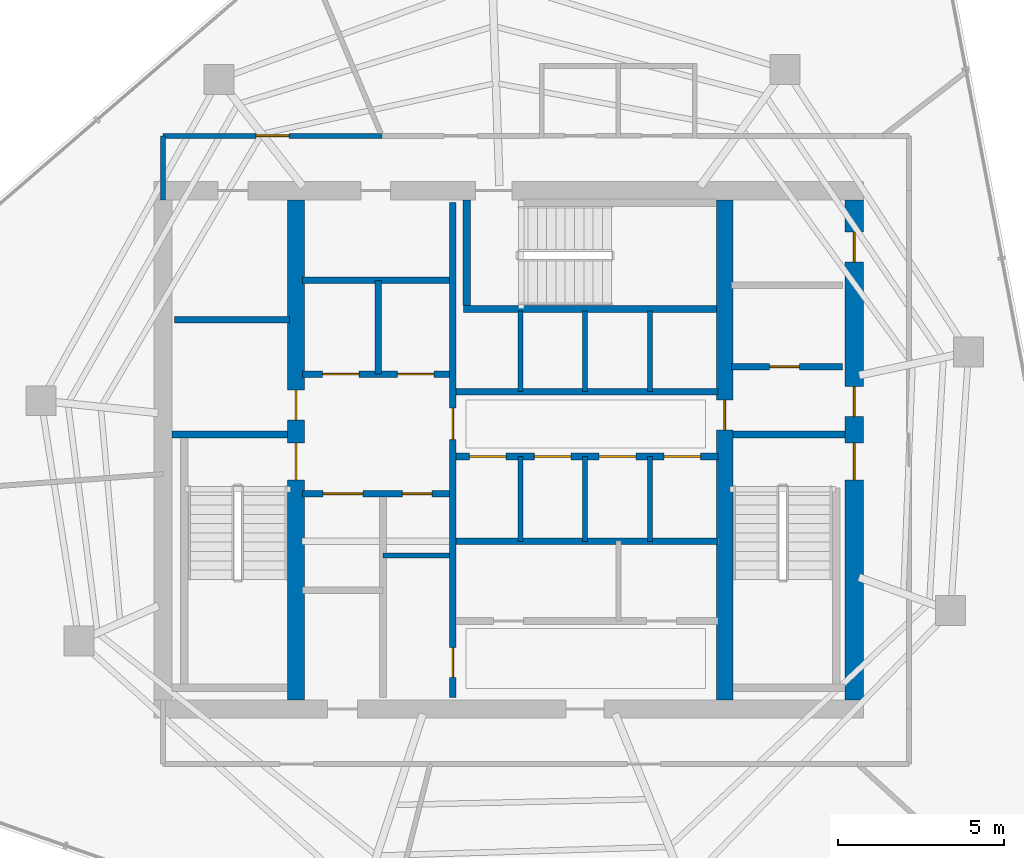
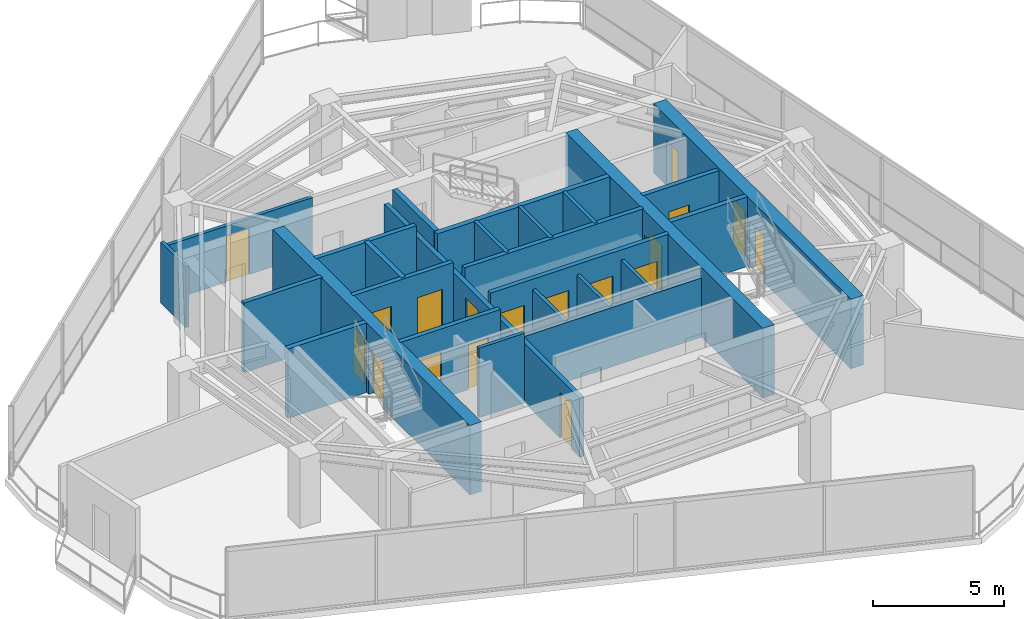
# One storey, part 15 of 18: 26 walls, 18 doors, 18 openings.
"""IFC4 building model written with IfcOpenShell, lengths in metres."""

from ifc_helpers import new_model, si_unit, direction, frame, frame_2d, origin, place, context, subcontext, project, spatial, rectangle, extrude, material, layer, layer_set, type_object, element, fill, save


model = new_model("IFC4")

# Units and contexts
model_context = context("Model", 3, precision=1e-05, world=origin(), true_north=direction((0.0, 1.0)))
body_context = subcontext(model_context, "Body", "Model", "MODEL_VIEW")
ifc_project = project(units=[si_unit("LENGTHUNIT", "METRE"), si_unit("AREAUNIT", "SQUARE_METRE"), si_unit("VOLUMEUNIT", "CUBIC_METRE"), si_unit("PLANEANGLEUNIT", "RADIAN"), si_unit("MASSUNIT", "GRAM", prefix="KILO")], contexts=[model_context])

# Site, building, storey
site_placement = place(None, origin())
site = spatial("IfcSite", under=ifc_project, at=site_placement, CompositionType="ELEMENT")
building_placement = place(site_placement, origin())
building = spatial("IfcBuilding", under=site, at=building_placement, Name="Qarnah Convention Tower", CompositionType="ELEMENT")
storey_placement = place(building_placement, frame((0.0, 0.0, 220.199951171875)))
storey = spatial("IfcBuildingStorey", under=building, at=storey_placement, Name="L59", CompositionType="ELEMENT", Elevation=220.199951171875)

# Wall, openings, doors
ifc_material_1 = material(Name="Concrete C60/75", Category="concrete")
ifc_layer_1 = layer(ifc_material_1, 0.550048828125)
ifc_layer_set_1 = layer_set([ifc_layer_1], Name="Concrete C60/75")
wall_type_1 = type_object("IfcWallType", Name="WL-CORE-550", PredefinedType="SHEAR", material=ifc_layer_set_1)
wall_1_placement = place(storey_placement, frame((47.60009765625, 18.875, 0.0), z_axis=(0.0, 0.0, 1.0), x_axis=(0.0, 1.0, 0.0)))
wall_1 = element("IfcWall", 1, at=wall_1_placement, inside=storey, type_object=wall_type_1, Name="L59 core east shear wall", PredefinedType="SHEAR", context=body_context, shape_type="SweptSolid", body=[
    extrude(rectangle(XDim=15.050048828125, YDim=0.550048828125, at=frame_2d((7.52490234375, 0.0))), origin(), (0.0, 0.0, 1.0), 3.239990234375),
])
opening_1_placement = place(wall_1_placement, frame((6.625, 0.0, 0.0)))
opening_1 = element("IfcOpeningElement", 2, at=opening_1_placement, cuts=wall_1, Name="Opening D-5902", PredefinedType="OPENING", context=body_context, shape_type="SweptSolid", body=[
    extrude(rectangle(XDim=1.10009765625, YDim=2.14990234375, at=frame_2d((0.550048828125, 1.074951171875))), frame((0.0, 0.284912109375, 0.0), z_axis=(0.0, -1.0, 0.0), x_axis=(1.0, 0.0, 0.0)), (0.0, 0.0, 1.0), 0.570068359375),
])
opening_2_placement = place(wall_1_placement, frame((8.52490234375, 0.0, 0.0)))
opening_2 = element("IfcOpeningElement", 3, at=opening_2_placement, cuts=wall_1, Name="Opening D-5906", PredefinedType="OPENING", context=body_context, shape_type="SweptSolid", body=[
    extrude(rectangle(XDim=0.89990234375, YDim=2.10009765625, at=frame_2d((0.449951171875, 1.050048828125))), frame((0.0, 0.284912109375, 0.0), z_axis=(0.0, -1.0, 0.0), x_axis=(1.0, 0.0, 0.0)), (0.0, 0.0, 1.0), 0.570068359375),
])
opening_3_placement = place(wall_1_placement, frame((13.175048828125, 0.0, 0.0)))
opening_3 = element("IfcOpeningElement", 4, at=opening_3_placement, cuts=wall_1, Name="Opening D-5912", PredefinedType="OPENING", context=body_context, shape_type="SweptSolid", body=[
    extrude(rectangle(XDim=0.89990234375, YDim=2.10009765625, at=frame_2d((0.449951171875, 1.050048828125))), frame((0.0, 0.284912109375, 0.0), z_axis=(0.0, -1.0, 0.0), x_axis=(1.0, 0.0, 0.0)), (0.0, 0.0, 1.0), 0.570068359375),
])
ifc_material_2 = material(Name="Structural steel S355JR", Category="steel")
door_type_1 = type_object("IfcDoorType", Name="DT-RISER-900", OperationType="NOTDEFINED", PredefinedType="DOOR", material=ifc_material_2)
door_1_placement = place(opening_2_placement, origin())
door_1 = element("IfcDoor", 5, at=door_1_placement, inside=storey, type_object=door_type_1, Name="Door D-5906", OperationType="SINGLE_SWING_RIGHT", OverallHeight=2.10009765625, OverallWidth=0.89990234375, PredefinedType="DOOR", context=body_context, shape_type="SweptSolid", body=[
    extrude(rectangle(XDim=0.89990234375, YDim=2.10009765625, at=frame_2d((0.449951171875, 1.050048828125))), frame((0.0, 0.02490234375, 0.0), z_axis=(0.0, -1.0, 0.0), x_axis=(1.0, 0.0, 0.0)), (0.0, 0.0, 1.0), 0.050048828125),
])
fill(opening_2, door_1)
door_2_placement = place(opening_3_placement, origin())
door_2 = element("IfcDoor", 6, at=door_2_placement, inside=storey, type_object=door_type_1, Name="Door D-5912", OperationType="SINGLE_SWING_RIGHT", OverallHeight=2.10009765625, OverallWidth=0.89990234375, PredefinedType="DOOR", context=body_context, shape_type="SweptSolid", body=[
    extrude(rectangle(XDim=0.89990234375, YDim=2.10009765625, at=frame_2d((0.449951171875, 1.050048828125))), frame((0.0, 0.02490234375, 0.0), z_axis=(0.0, -1.0, 0.0), x_axis=(1.0, 0.0, 0.0)), (0.0, 0.0, 1.0), 0.050048828125),
])
fill(opening_3, door_2)
door_type_2 = type_object("IfcDoorType", Name="DT-STAIR-1100", OperationType="NOTDEFINED", PredefinedType="DOOR", material=ifc_material_2)
door_3_placement = place(opening_1_placement, origin())
door_3 = element("IfcDoor", 7, at=door_3_placement, inside=storey, type_object=door_type_2, Name="Door D-5902", OperationType="SINGLE_SWING_RIGHT", OverallHeight=2.14990234375, OverallWidth=1.10009765625, PredefinedType="DOOR", context=body_context, shape_type="SweptSolid", body=[
    extrude(rectangle(XDim=1.10009765625, YDim=2.14990234375, at=frame_2d((0.550048828125, 1.074951171875))), frame((0.0, 0.02490234375, 0.0), z_axis=(0.0, -1.0, 0.0), x_axis=(1.0, 0.0, 0.0)), (0.0, 0.0, 1.0), 0.050048828125),
])
fill(opening_1, door_3)

ifc_layer_2 = layer(ifc_material_1, 0.5)
ifc_layer_set_2 = layer_set([ifc_layer_2], Name="Concrete C60/75")
wall_type_2 = type_object("IfcWallType", Name="WL-CORE-INT-400", PredefinedType="SHEAR", material=ifc_layer_set_2)
wall_2_placement = place(storey_placement, frame((30.800048828125, 18.875, 0.0), z_axis=(0.0, 0.0, 1.0), x_axis=(0.0, 1.0, 0.0)))
wall_2 = element("IfcWall", 8, at=wall_2_placement, inside=storey, type_object=wall_type_2, Name="L59 core west spine shear wall", PredefinedType="SHEAR", context=body_context, shape_type="SweptSolid", body=[
    extrude(rectangle(XDim=15.050048828125, YDim=0.5, at=frame_2d((7.52490234375, 0.0))), origin(), (0.0, 0.0, 1.0), 3.239990234375),
])
opening_4_placement = place(wall_2_placement, frame((6.625, 0.0, 0.0)))
opening_4 = element("IfcOpeningElement", 9, at=opening_4_placement, cuts=wall_2, Name="Opening D-5901", PredefinedType="OPENING", context=body_context, shape_type="SweptSolid", body=[
    extrude(rectangle(XDim=1.10009765625, YDim=2.14990234375, at=frame_2d((0.550048828125, 1.074951171875))), frame((0.0, 0.260009765625, 0.0), z_axis=(0.0, -1.0, 0.0), x_axis=(1.0, 0.0, 0.0)), (0.0, 0.0, 1.0), 0.52001953125),
])
opening_5_placement = place(wall_2_placement, frame((8.425048828125, 0.0, 0.0)))
opening_5 = element("IfcOpeningElement", 10, at=opening_5_placement, cuts=wall_2, Name="Opening D-5908", PredefinedType="OPENING", context=body_context, shape_type="SweptSolid", body=[
    extrude(rectangle(XDim=0.89990234375, YDim=2.10009765625, at=frame_2d((0.449951171875, 1.050048828125))), frame((0.0, 0.260009765625, 0.0), z_axis=(0.0, -1.0, 0.0), x_axis=(1.0, 0.0, 0.0)), (0.0, 0.0, 1.0), 0.52001953125),
])
door_4_placement = place(opening_5_placement, origin())
door_4 = element("IfcDoor", 11, at=door_4_placement, inside=storey, type_object=door_type_1, Name="Door D-5908", OperationType="SINGLE_SWING_RIGHT", OverallHeight=2.10009765625, OverallWidth=0.89990234375, PredefinedType="DOOR", context=body_context, shape_type="SweptSolid", body=[
    extrude(rectangle(XDim=0.89990234375, YDim=2.10009765625, at=frame_2d((0.449951171875, 1.050048828125))), frame((0.0, 0.02490234375, 0.0), z_axis=(0.0, -1.0, 0.0), x_axis=(1.0, 0.0, 0.0)), (0.0, 0.0, 1.0), 0.050048828125),
])
fill(opening_5, door_4)
door_5_placement = place(opening_4_placement, origin())
door_5 = element("IfcDoor", 12, at=door_5_placement, inside=storey, type_object=door_type_2, Name="Door D-5901", OperationType="SINGLE_SWING_LEFT", OverallHeight=2.14990234375, OverallWidth=1.10009765625, PredefinedType="DOOR", context=body_context, shape_type="SweptSolid", body=[
    extrude(rectangle(XDim=1.10009765625, YDim=2.14990234375, at=frame_2d((0.550048828125, 1.074951171875))), frame((0.0, 0.02490234375, 0.0), z_axis=(0.0, -1.0, 0.0), x_axis=(1.0, 0.0, 0.0)), (0.0, 0.0, 1.0), 0.050048828125),
])
fill(opening_4, door_5)

# Wall, opening, door
wall_3_placement = place(storey_placement, frame((43.699951171875, 18.875, 0.0), z_axis=(0.0, 0.0, 1.0), x_axis=(0.0, 1.0, 0.0)))
wall_3 = element("IfcWall", 13, at=wall_3_placement, inside=storey, type_object=wall_type_2, Name="L59 core east spine shear wall", PredefinedType="SHEAR", context=body_context, shape_type="SweptSolid", body=[
    extrude(rectangle(XDim=15.050048828125, YDim=0.5, at=frame_2d((7.52490234375, 0.0))), origin(), (0.0, 0.0, 1.0), 3.239990234375),
])
opening_6_placement = place(wall_3_placement, frame((8.125, 0.0, 0.0)))
opening_6 = element("IfcOpeningElement", 14, at=opening_6_placement, cuts=wall_3, Name="Opening D-5905", PredefinedType="OPENING", context=body_context, shape_type="SweptSolid", body=[
    extrude(rectangle(XDim=0.89990234375, YDim=2.10009765625, at=frame_2d((0.449951171875, 1.050048828125))), frame((0.0, 0.260009765625, 0.0), z_axis=(0.0, -1.0, 0.0), x_axis=(1.0, 0.0, 0.0)), (0.0, 0.0, 1.0), 0.52001953125),
])
door_6_placement = place(opening_6_placement, origin())
door_6 = element("IfcDoor", 15, at=door_6_placement, inside=storey, type_object=door_type_1, Name="Door D-5905", OperationType="SINGLE_SWING_LEFT", OverallHeight=2.10009765625, OverallWidth=0.89990234375, PredefinedType="DOOR", context=body_context, shape_type="SweptSolid", body=[
    extrude(rectangle(XDim=0.89990234375, YDim=2.10009765625, at=frame_2d((0.449951171875, 1.050048828125))), frame((0.0, 0.02490234375, 0.0), z_axis=(0.0, -1.0, 0.0), x_axis=(1.0, 0.0, 0.0)), (0.0, 0.0, 1.0), 0.050048828125),
])
fill(opening_6, door_6)

# Wall
ifc_material_3 = material(Name="Concrete C45/55", Category="concrete")
ifc_layer_3 = layer(ifc_material_3, 0.199951171875)
ifc_layer_set_3 = layer_set([ifc_layer_3], Name="Concrete C45/55")
wall_type_3 = type_object("IfcWallType", Name="WL-CORE-PART-200", PredefinedType="SOLIDWALL", material=ifc_layer_set_3)
wall_4_placement = place(storey_placement, frame((27.14990234375, 30.320068359375, 0.0), z_axis=(0.0, 0.0, 1.0), x_axis=(1.0, 0.0, 0.0)))
element("IfcWall", 16, at=wall_4_placement, inside=storey, type_object=wall_type_3, Name="L59 interior wall IW-L59-ELRN", PredefinedType="SOLIDWALL", context=body_context, shape_type="SweptSolid", body=[
    extrude(rectangle(XDim=3.4501953125, YDim=0.199951171875, at=frame_2d((1.72509765625, 0.0))), origin(), (0.0, 0.0, 1.0), 3.239990234375),
])

# Wall, opening, door
wall_5_placement = place(storey_placement, frame((43.89990234375, 28.89990234375, 0.0), z_axis=(0.0, 0.0, 1.0), x_axis=(1.0, 0.0, 0.0)))
wall_5 = element("IfcWall", 17, at=wall_5_placement, inside=storey, type_object=wall_type_3, Name="L59 interior wall IW-L59-EVSTN", PredefinedType="SOLIDWALL", context=body_context, shape_type="SweptSolid", body=[
    extrude(rectangle(XDim=3.35009765625, YDim=0.199951171875, at=frame_2d((1.675048828125, 0.0))), origin(), (0.0, 0.0, 1.0), 3.239990234375),
])
opening_7_placement = place(wall_5_placement, frame((1.14990234375, 0.0, 0.0)))
opening_7 = element("IfcOpeningElement", 18, at=opening_7_placement, cuts=wall_5, Name="Opening D-5911", PredefinedType="OPENING", context=body_context, shape_type="SweptSolid", body=[
    extrude(rectangle(XDim=0.89990234375, YDim=2.10009765625, at=frame_2d((0.449951171875, 1.050048828125))), frame((0.0, 0.10986328125, 0.0), z_axis=(0.0, -1.0, 0.0), x_axis=(1.0, 0.0, 0.0)), (0.0, 0.0, 1.0), 0.219970703125),
])
door_7_placement = place(opening_7_placement, origin())
door_7 = element("IfcDoor", 19, at=door_7_placement, inside=storey, type_object=door_type_1, Name="Door D-5911", OperationType="SINGLE_SWING_LEFT", OverallHeight=2.10009765625, OverallWidth=0.89990234375, PredefinedType="DOOR", context=body_context, shape_type="SweptSolid", body=[
    extrude(rectangle(XDim=0.89990234375, YDim=2.10009765625, at=frame_2d((0.449951171875, 1.050048828125))), frame((0.0, 0.02490234375, 0.0), z_axis=(0.0, -1.0, 0.0), x_axis=(1.0, 0.0, 0.0)), (0.0, 0.0, 1.0), 0.050048828125),
])
fill(opening_7, door_7)

# Wall, openings, doors
wall_6_placement = place(storey_placement, frame((35.52001953125, 18.949951171875, 0.0), z_axis=(0.0, 0.0, 1.0), x_axis=(0.0, 1.0, 0.0)))
wall_6 = element("IfcWall", 20, at=wall_6_placement, inside=storey, type_object=wall_type_3, Name="L59 interior wall IW-L59-CSP", PredefinedType="SOLIDWALL", context=body_context, shape_type="SweptSolid", body=[
    extrude(rectangle(XDim=14.900146484375, YDim=0.199951171875, at=frame_2d((7.4501953125, 0.0))), origin(), (0.0, 0.0, 1.0), 2.760986328125),
])
opening_8_placement = place(wall_6_placement, frame((7.7548828125, 0.0, 0.0)))
opening_8 = element("IfcOpeningElement", 21, at=opening_8_placement, cuts=wall_6, Name="Opening D-5904", PredefinedType="OPENING", context=body_context, shape_type="SweptSolid", body=[
    extrude(rectangle(XDim=0.949951171875, YDim=2.14990234375, at=frame_2d((0.47509765625, 1.074951171875))), frame((0.0, 0.10986328125, 0.0), z_axis=(0.0, -1.0, 0.0), x_axis=(1.0, 0.0, 0.0)), (0.0, 0.0, 1.0), 0.219970703125),
])
opening_9_placement = place(wall_6_placement, frame((0.60009765625, 0.0, 0.0)))
opening_9 = element("IfcOpeningElement", 22, at=opening_9_placement, cuts=wall_6, Name="Opening D-5914", PredefinedType="OPENING", context=body_context, shape_type="SweptSolid", body=[
    extrude(rectangle(XDim=0.89990234375, YDim=2.10009765625, at=frame_2d((0.449951171875, 1.050048828125))), frame((0.0, 0.10986328125, 0.0), z_axis=(0.0, -1.0, 0.0), x_axis=(1.0, 0.0, 0.0)), (0.0, 0.0, 1.0), 0.219970703125),
])
ifc_material_4 = material(Name="Oak timber veneer", Category="wood")
door_type_3 = type_object("IfcDoorType", Name="DT-HOTEL-950", OperationType="NOTDEFINED", PredefinedType="DOOR", material=ifc_material_4)
door_8_placement = place(opening_8_placement, origin())
door_8 = element("IfcDoor", 23, at=door_8_placement, inside=storey, type_object=door_type_3, Name="Door D-5904", OperationType="SINGLE_SWING_RIGHT", OverallHeight=2.14990234375, OverallWidth=0.949951171875, PredefinedType="DOOR", context=body_context, shape_type="SweptSolid", body=[
    extrude(rectangle(XDim=0.949951171875, YDim=2.14990234375, at=frame_2d((0.47509765625, 1.074951171875))), frame((0.0, 0.02490234375, 0.0), z_axis=(0.0, -1.0, 0.0), x_axis=(1.0, 0.0, 0.0)), (0.0, 0.0, 1.0), 0.050048828125),
])
fill(opening_8, door_8)
door_9_placement = place(opening_9_placement, origin())
door_9 = element("IfcDoor", 24, at=door_9_placement, inside=storey, type_object=door_type_1, Name="Door D-5914", OperationType="SINGLE_SWING_RIGHT", OverallHeight=2.10009765625, OverallWidth=0.89990234375, PredefinedType="DOOR", context=body_context, shape_type="SweptSolid", body=[
    extrude(rectangle(XDim=0.89990234375, YDim=2.10009765625, at=frame_2d((0.449951171875, 1.050048828125))), frame((0.0, 0.02490234375, 0.0), z_axis=(0.0, -1.0, 0.0), x_axis=(1.0, 0.0, 0.0)), (0.0, 0.0, 1.0), 0.050048828125),
])
fill(opening_9, door_9)

wall_7_placement = place(storey_placement, frame((31.0, 28.679931640625, 0.0), z_axis=(0.0, 0.0, 1.0), x_axis=(1.0, 0.0, 0.0)))
wall_7 = element("IfcWall", 25, at=wall_7_placement, inside=storey, type_object=wall_type_3, Name="L59 interior wall IW-L59-FFLS", PredefinedType="SOLIDWALL", context=body_context, shape_type="SweptSolid", body=[
    extrude(rectangle(XDim=4.419921875, YDim=0.199951171875, at=frame_2d((2.2099609375, 0.0))), origin(), (0.0, 0.0, 1.0), 3.239990234375),
])
opening_10_placement = place(wall_7_placement, frame((0.60009765625, 0.0, 0.0)))
opening_10 = element("IfcOpeningElement", 26, at=opening_10_placement, cuts=wall_7, Name="Opening LD-5901", PredefinedType="OPENING", context=body_context, shape_type="SweptSolid", body=[
    extrude(rectangle(XDim=1.10009765625, YDim=2.14990234375, at=frame_2d((0.550048828125, 1.074951171875))), frame((0.0, 0.10986328125, 0.0), z_axis=(0.0, -1.0, 0.0), x_axis=(1.0, 0.0, 0.0)), (0.0, 0.0, 1.0), 0.219970703125),
])
opening_11_placement = place(wall_7_placement, frame((2.85009765625, 0.0, 0.0)))
opening_11 = element("IfcOpeningElement", 27, at=opening_11_placement, cuts=wall_7, Name="Opening LD-5902", PredefinedType="OPENING", context=body_context, shape_type="SweptSolid", body=[
    extrude(rectangle(XDim=1.10009765625, YDim=2.14990234375, at=frame_2d((0.550048828125, 1.074951171875))), frame((0.0, 0.10986328125, 0.0), z_axis=(0.0, -1.0, 0.0), x_axis=(1.0, 0.0, 0.0)), (0.0, 0.0, 1.0), 0.219970703125),
])
door_type_4 = type_object("IfcDoorType", Name="DT-LIFT-1100", OperationType="SLIDING_TO_LEFT", PredefinedType="DOOR", material=ifc_material_2)
door_10_placement = place(opening_10_placement, origin())
door_10 = element("IfcDoor", 28, at=door_10_placement, inside=storey, type_object=door_type_4, Name="Door LD-5901", OperationType="SLIDING_TO_LEFT", OverallHeight=2.14990234375, OverallWidth=1.10009765625, PredefinedType="DOOR", context=body_context, shape_type="SweptSolid", body=[
    extrude(rectangle(XDim=1.10009765625, YDim=2.14990234375, at=frame_2d((0.550048828125, 1.074951171875))), frame((0.0, 0.02490234375, 0.0), z_axis=(0.0, -1.0, 0.0), x_axis=(1.0, 0.0, 0.0)), (0.0, 0.0, 1.0), 0.050048828125),
])
fill(opening_10, door_10)
door_11_placement = place(opening_11_placement, origin())
door_11 = element("IfcDoor", 29, at=door_11_placement, inside=storey, type_object=door_type_4, Name="Door LD-5902", OperationType="SLIDING_TO_LEFT", OverallHeight=2.14990234375, OverallWidth=1.10009765625, PredefinedType="DOOR", context=body_context, shape_type="SweptSolid", body=[
    extrude(rectangle(XDim=1.10009765625, YDim=2.14990234375, at=frame_2d((0.550048828125, 1.074951171875))), frame((0.0, 0.02490234375, 0.0), z_axis=(0.0, -1.0, 0.0), x_axis=(1.0, 0.0, 0.0)), (0.0, 0.0, 1.0), 0.050048828125),
])
fill(opening_11, door_11)

# Walls
wall_8_placement = place(storey_placement, frame((31.0, 31.5, 0.0), z_axis=(0.0, 0.0, 1.0), x_axis=(1.0, 0.0, 0.0)))
element("IfcWall", 30, at=wall_8_placement, inside=storey, type_object=wall_type_3, Name="L59 interior wall IW-L59-FFLN", PredefinedType="SOLIDWALL", context=body_context, shape_type="SweptSolid", body=[
    extrude(rectangle(XDim=4.419921875, YDim=0.199951171875, at=frame_2d((2.2099609375, 0.0))), origin(), (0.0, 0.0, 1.0), 3.239990234375),
])
wall_9_placement = place(storey_placement, frame((33.280029296875, 28.679931640625, 0.0), z_axis=(0.0, 0.0, 1.0), x_axis=(0.0, 1.0, 0.0)))
element("IfcWall", 31, at=wall_9_placement, inside=storey, type_object=wall_type_3, Name="L59 interior wall IW-L59-FFLM", PredefinedType="SOLIDWALL", context=body_context, shape_type="SweptSolid", body=[
    extrude(rectangle(XDim=2.820068359375, YDim=0.199951171875, at=frame_2d((1.41015625, 0.0))), origin(), (0.0, 0.0, 1.0), 3.239990234375),
])

# Wall, openings, doors
wall_10_placement = place(storey_placement, frame((31.0, 25.080078125, 0.0), z_axis=(0.0, 0.0, 1.0), x_axis=(1.0, 0.0, 0.0)))
wall_10 = element("IfcWall", 32, at=wall_10_placement, inside=storey, type_object=wall_type_3, Name="L59 interior wall IW-L59-FFLBS", PredefinedType="SOLIDWALL", context=body_context, shape_type="SweptSolid", body=[
    extrude(rectangle(XDim=4.419921875, YDim=0.199951171875, at=frame_2d((2.2099609375, 0.0))), origin(), (0.0, 0.0, 1.0), 3.239990234375),
])
opening_12_placement = place(wall_10_placement, frame((3.0, 0.0, 0.0)))
opening_12 = element("IfcOpeningElement", 33, at=opening_12_placement, cuts=wall_10, Name="Opening D-5915", PredefinedType="OPENING", context=body_context, shape_type="SweptSolid", body=[
    extrude(rectangle(XDim=0.89990234375, YDim=2.10009765625, at=frame_2d((0.449951171875, 1.050048828125))), frame((0.0, 0.10986328125, 0.0), z_axis=(0.0, -1.0, 0.0), x_axis=(1.0, 0.0, 0.0)), (0.0, 0.0, 1.0), 0.219970703125),
])
opening_13_placement = place(wall_10_placement, frame((0.6201171875, 0.0, 0.0)))
opening_13 = element("IfcOpeningElement", 34, at=opening_13_placement, cuts=wall_10, Name="Opening LD-5903", PredefinedType="OPENING", context=body_context, shape_type="SweptSolid", body=[
    extrude(rectangle(XDim=1.199951171875, YDim=2.14990234375, at=frame_2d((0.60009765625, 1.074951171875))), frame((0.0, 0.10986328125, 0.0), z_axis=(0.0, -1.0, 0.0), x_axis=(1.0, 0.0, 0.0)), (0.0, 0.0, 1.0), 0.219970703125),
])
door_type_5 = type_object("IfcDoorType", Name="DT-LIFT-1200", OperationType="SLIDING_TO_LEFT", PredefinedType="DOOR", material=ifc_material_2)
door_12_placement = place(opening_13_placement, origin())
door_12 = element("IfcDoor", 35, at=door_12_placement, inside=storey, type_object=door_type_5, Name="Door LD-5903", OperationType="SLIDING_TO_LEFT", OverallHeight=2.14990234375, OverallWidth=1.199951171875, PredefinedType="DOOR", context=body_context, shape_type="SweptSolid", body=[
    extrude(rectangle(XDim=1.199951171875, YDim=2.14990234375, at=frame_2d((0.60009765625, 1.074951171875))), frame((0.0, 0.02490234375, 0.0), z_axis=(0.0, -1.0, 0.0), x_axis=(1.0, 0.0, 0.0)), (0.0, 0.0, 1.0), 0.050048828125),
])
fill(opening_13, door_12)
door_13_placement = place(opening_12_placement, origin())
door_13 = element("IfcDoor", 36, at=door_13_placement, inside=storey, type_object=door_type_1, Name="Door D-5915", OperationType="SINGLE_SWING_LEFT", OverallHeight=2.10009765625, OverallWidth=0.89990234375, PredefinedType="DOOR", context=body_context, shape_type="SweptSolid", body=[
    extrude(rectangle(XDim=0.89990234375, YDim=2.10009765625, at=frame_2d((0.449951171875, 1.050048828125))), frame((0.0, 0.02490234375, 0.0), z_axis=(0.0, -1.0, 0.0), x_axis=(1.0, 0.0, 0.0)), (0.0, 0.0, 1.0), 0.050048828125),
])
fill(opening_12, door_13)

# Wall
wall_11_placement = place(storey_placement, frame((35.6201171875, 28.14990234375, 0.0), z_axis=(0.0, 0.0, 1.0), x_axis=(1.0, 0.0, 0.0)))
element("IfcWall", 37, at=wall_11_placement, inside=storey, type_object=wall_type_3, Name="L59 interior wall IW-L59-PHS", PredefinedType="SOLIDWALL", context=body_context, shape_type="SweptSolid", body=[
    extrude(rectangle(XDim=7.8798828125, YDim=0.199951171875, at=frame_2d((3.93994140625, 0.0))), origin(), (0.0, 0.0, 1.0), 3.239990234375),
])

# Wall, openings, doors
wall_12_placement = place(storey_placement, frame((35.6201171875, 26.199951171875, 0.0), z_axis=(0.0, 0.0, 1.0), x_axis=(1.0, 0.0, 0.0)))
wall_12 = element("IfcWall", 38, at=wall_12_placement, inside=storey, type_object=wall_type_3, Name="L59 interior wall IW-L59-PMN", PredefinedType="SOLIDWALL", context=body_context, shape_type="SweptSolid", body=[
    extrude(rectangle(XDim=7.8798828125, YDim=0.199951171875, at=frame_2d((3.93994140625, 0.0))), origin(), (0.0, 0.0, 1.0), 3.239990234375),
])
opening_14_placement = place(wall_12_placement, frame((0.405029296875, 0.0, 0.0)))
opening_14 = element("IfcOpeningElement", 39, at=opening_14_placement, cuts=wall_12, Name="Opening LD-5904", PredefinedType="OPENING", context=body_context, shape_type="SweptSolid", body=[
    extrude(rectangle(XDim=1.10009765625, YDim=2.14990234375, at=frame_2d((0.550048828125, 1.074951171875))), frame((0.0, 0.10986328125, 0.0), z_axis=(0.0, -1.0, 0.0), x_axis=(1.0, 0.0, 0.0)), (0.0, 0.0, 1.0), 0.219970703125),
])
opening_15_placement = place(wall_12_placement, frame((2.35498046875, 0.0, 0.0)))
opening_15 = element("IfcOpeningElement", 40, at=opening_15_placement, cuts=wall_12, Name="Opening LD-5905", PredefinedType="OPENING", context=body_context, shape_type="SweptSolid", body=[
    extrude(rectangle(XDim=1.10009765625, YDim=2.14990234375, at=frame_2d((0.550048828125, 1.074951171875))), frame((0.0, 0.10986328125, 0.0), z_axis=(0.0, -1.0, 0.0), x_axis=(1.0, 0.0, 0.0)), (0.0, 0.0, 1.0), 0.219970703125),
])
opening_16_placement = place(wall_12_placement, frame((4.304931640625, 0.0, 0.0)))
opening_16 = element("IfcOpeningElement", 41, at=opening_16_placement, cuts=wall_12, Name="Opening LD-5906", PredefinedType="OPENING", context=body_context, shape_type="SweptSolid", body=[
    extrude(rectangle(XDim=1.10009765625, YDim=2.14990234375, at=frame_2d((0.550048828125, 1.074951171875))), frame((0.0, 0.10986328125, 0.0), z_axis=(0.0, -1.0, 0.0), x_axis=(1.0, 0.0, 0.0)), (0.0, 0.0, 1.0), 0.219970703125),
])
opening_17_placement = place(wall_12_placement, frame((6.2548828125, 0.0, 0.0)))
opening_17 = element("IfcOpeningElement", 42, at=opening_17_placement, cuts=wall_12, Name="Opening LD-5907", PredefinedType="OPENING", context=body_context, shape_type="SweptSolid", body=[
    extrude(rectangle(XDim=1.10009765625, YDim=2.14990234375, at=frame_2d((0.550048828125, 1.074951171875))), frame((0.0, 0.10986328125, 0.0), z_axis=(0.0, -1.0, 0.0), x_axis=(1.0, 0.0, 0.0)), (0.0, 0.0, 1.0), 0.219970703125),
])
door_14_placement = place(opening_14_placement, origin())
door_14 = element("IfcDoor", 43, at=door_14_placement, inside=storey, type_object=door_type_4, Name="Door LD-5904", OperationType="SLIDING_TO_LEFT", OverallHeight=2.14990234375, OverallWidth=1.10009765625, PredefinedType="DOOR", context=body_context, shape_type="SweptSolid", body=[
    extrude(rectangle(XDim=1.10009765625, YDim=2.14990234375, at=frame_2d((0.550048828125, 1.074951171875))), frame((0.0, 0.02490234375, 0.0), z_axis=(0.0, -1.0, 0.0), x_axis=(1.0, 0.0, 0.0)), (0.0, 0.0, 1.0), 0.050048828125),
])
fill(opening_14, door_14)
door_15_placement = place(opening_15_placement, origin())
door_15 = element("IfcDoor", 44, at=door_15_placement, inside=storey, type_object=door_type_4, Name="Door LD-5905", OperationType="SLIDING_TO_LEFT", OverallHeight=2.14990234375, OverallWidth=1.10009765625, PredefinedType="DOOR", context=body_context, shape_type="SweptSolid", body=[
    extrude(rectangle(XDim=1.10009765625, YDim=2.14990234375, at=frame_2d((0.550048828125, 1.074951171875))), frame((0.0, 0.02490234375, 0.0), z_axis=(0.0, -1.0, 0.0), x_axis=(1.0, 0.0, 0.0)), (0.0, 0.0, 1.0), 0.050048828125),
])
fill(opening_15, door_15)
door_16_placement = place(opening_16_placement, origin())
door_16 = element("IfcDoor", 45, at=door_16_placement, inside=storey, type_object=door_type_4, Name="Door LD-5906", OperationType="SLIDING_TO_LEFT", OverallHeight=2.14990234375, OverallWidth=1.10009765625, PredefinedType="DOOR", context=body_context, shape_type="SweptSolid", body=[
    extrude(rectangle(XDim=1.10009765625, YDim=2.14990234375, at=frame_2d((0.550048828125, 1.074951171875))), frame((0.0, 0.02490234375, 0.0), z_axis=(0.0, -1.0, 0.0), x_axis=(1.0, 0.0, 0.0)), (0.0, 0.0, 1.0), 0.050048828125),
])
fill(opening_16, door_16)
door_17_placement = place(opening_17_placement, origin())
door_17 = element("IfcDoor", 46, at=door_17_placement, inside=storey, type_object=door_type_4, Name="Door LD-5907", OperationType="SLIDING_TO_LEFT", OverallHeight=2.14990234375, OverallWidth=1.10009765625, PredefinedType="DOOR", context=body_context, shape_type="SweptSolid", body=[
    extrude(rectangle(XDim=1.10009765625, YDim=2.14990234375, at=frame_2d((0.550048828125, 1.074951171875))), frame((0.0, 0.02490234375, 0.0), z_axis=(0.0, -1.0, 0.0), x_axis=(1.0, 0.0, 0.0)), (0.0, 0.0, 1.0), 0.050048828125),
])
fill(opening_17, door_17)

# Walls
wall_13_placement = place(storey_placement, frame((35.6201171875, 23.64990234375, 0.0), z_axis=(0.0, 0.0, 1.0), x_axis=(1.0, 0.0, 0.0)))
element("IfcWall", 47, at=wall_13_placement, inside=storey, type_object=wall_type_3, Name="L59 interior wall IW-L59-PMPL", PredefinedType="SOLIDWALL", context=body_context, shape_type="SweptSolid", body=[
    extrude(rectangle(XDim=7.8798828125, YDim=0.199951171875, at=frame_2d((3.93994140625, 0.0))), origin(), (0.0, 0.0, 1.0), 2.760986328125),
])
ifc_layer_4 = layer(ifc_material_1, 0.219970703125)
ifc_layer_set_4 = layer_set([ifc_layer_4], Name="Concrete C60/75")
wall_type_4 = type_object("IfcWallType", Name="WL-CORE-STAIR-220", PredefinedType="SHEAR", material=ifc_layer_set_4)
wall_14_placement = place(storey_placement, frame((27.074951171875, 26.860107421875, 0.0), z_axis=(0.0, 0.0, 1.0), x_axis=(1.0, 0.0, 0.0)))
element("IfcWall", 48, at=wall_14_placement, inside=storey, type_object=wall_type_4, Name="L59 stair shaft shear wall SW-L59-ST1N", PredefinedType="SHEAR", context=body_context, shape_type="SweptSolid", body=[
    extrude(rectangle(XDim=3.47509765625, YDim=0.219970703125, at=frame_2d((1.737548828125, 0.0))), origin(), (0.0, 0.0, 1.0), 3.239990234375),
])
wall_15_placement = place(storey_placement, frame((43.949951171875, 26.860107421875, 0.0), z_axis=(0.0, 0.0, 1.0), x_axis=(1.0, 0.0, 0.0)))
element("IfcWall", 49, at=wall_15_placement, inside=storey, type_object=wall_type_4, Name="L59 stair shaft shear wall SW-L59-ST2N", PredefinedType="SHEAR", context=body_context, shape_type="SweptSolid", body=[
    extrude(rectangle(XDim=3.375, YDim=0.219970703125, at=frame_2d((1.6875, 0.0))), origin(), (0.0, 0.0, 1.0), 3.239990234375),
])
wall_16_placement = place(storey_placement, frame((35.840087890625, 30.639892578125, 0.0), z_axis=(0.0, 0.0, 1.0), x_axis=(1.0, 0.0, 0.0)))
element("IfcWall", 50, at=wall_16_placement, inside=storey, type_object=wall_type_4, Name="L59 stair shaft shear wall SW-L59-ST3S", PredefinedType="SHEAR", context=body_context, shape_type="SweptSolid", body=[
    extrude(rectangle(XDim=7.60986328125, YDim=0.219970703125, at=frame_2d((3.804931640625, 0.0))), origin(), (0.0, 0.0, 1.0), 3.239990234375),
])
wall_17_placement = place(storey_placement, frame((35.93994140625, 30.75, 0.0), z_axis=(0.0, 0.0, 1.0), x_axis=(0.0, 1.0, 0.0)))
element("IfcWall", 51, at=wall_17_placement, inside=storey, type_object=wall_type_4, Name="L59 stair shaft shear wall SW-L59-ST3W", PredefinedType="SHEAR", context=body_context, shape_type="SweptSolid", body=[
    extrude(rectangle(XDim=3.175048828125, YDim=0.219970703125, at=frame_2d((1.58740234375, 0.0))), origin(), (0.0, 0.0, 1.0), 3.239990234375),
])
ifc_material_5 = material(Name="Gypsum partition board")
ifc_layer_5 = layer(ifc_material_5, 0.14990234375)
ifc_layer_set_5 = layer_set([ifc_layer_5], Name="Gypsum partition board")
wall_type_5 = type_object("IfcWallType", Name="WL-SUITE-150", PredefinedType="PARTITIONING", material=ifc_layer_set_5)
wall_18_placement = place(storey_placement, frame((33.419921875, 23.219970703125, 0.0), z_axis=(0.0, 0.0, 1.0), x_axis=(1.0, 0.0, 0.0)))
element("IfcWall", 52, at=wall_18_placement, inside=storey, type_object=wall_type_5, Name="L59 interior wall IW-L59-CSV1", PredefinedType="PARTITIONING", context=body_context, shape_type="SweptSolid", body=[
    extrude(rectangle(XDim=2.0, YDim=0.14990234375, at=frame_2d((1.0, 0.0))), origin(), (0.0, 0.0, 1.0), 3.239990234375),
])
for number, where, z_axis, x_axis, name in (
    (53, (37.550048828125, 28.14990234375, 0.0), (0.0, 0.0, 1.0), (0.0, 1.0, 0.0), "L59 interior wall IW-L59-PHD1"),
    (54, (39.5, 28.14990234375, 0.0), (0.0, 0.0, 1.0), (0.0, 1.0, 0.0), "L59 interior wall IW-L59-PHD2"),
    (55, (41.449951171875, 28.14990234375, 0.0), (0.0, 0.0, 1.0), (0.0, 1.0, 0.0), "L59 interior wall IW-L59-PHD3"),
):
    element("IfcWall", number, at=place(storey_placement, frame(where, z_axis=z_axis, x_axis=x_axis)), inside=storey, type_object=wall_type_5, Name=name, PredefinedType="PARTITIONING", context=body_context, shape_type="SweptSolid", body=[
        extrude(rectangle(XDim=2.43017578125, YDim=0.14990234375, at=frame_2d((1.215087890625, 0.0))), origin(), (0.0, 0.0, 1.0), 3.239990234375),
    ])
for number, where, z_axis, x_axis, name in (
    (56, (37.550048828125, 23.64990234375, 0.0), (0.0, 0.0, 1.0), (0.0, 1.0, 0.0), "L59 interior wall IW-L59-PMD1"),
    (57, (39.5, 23.64990234375, 0.0), (0.0, 0.0, 1.0), (0.0, 1.0, 0.0), "L59 interior wall IW-L59-PMD2"),
    (58, (41.449951171875, 23.64990234375, 0.0), (0.0, 0.0, 1.0), (0.0, 1.0, 0.0), "L59 interior wall IW-L59-PMD3"),
):
    element("IfcWall", number, at=place(storey_placement, frame(where, z_axis=z_axis, x_axis=x_axis)), inside=storey, type_object=wall_type_5, Name=name, PredefinedType="PARTITIONING", context=body_context, shape_type="SweptSolid", body=[
        extrude(rectangle(XDim=2.550048828125, YDim=0.14990234375, at=frame_2d((1.27490234375, 0.0))), origin(), (0.0, 0.0, 1.0), 2.760986328125),
    ])
wall_19_placement = place(storey_placement, frame((26.800048828125, 33.925048828125, 0.0), z_axis=(0.0, 0.0, 1.0), x_axis=(0.0, 1.0, 0.0)))
element("IfcWall", 59, at=wall_19_placement, inside=storey, type_object=wall_type_5, Name="L59 interior wall IW-L59-R-14", PredefinedType="PARTITIONING", context=body_context, shape_type="SweptSolid", body=[
    extrude(rectangle(XDim=1.925048828125, YDim=0.14990234375, at=frame_2d((0.96240234375, 0.0))), origin(), (0.0, 0.0, 1.0), 2.824951171875),
])

# Wall, opening, door
wall_20_placement = place(storey_placement, frame((26.800048828125, 35.85009765625, 0.0), z_axis=(0.0, 0.0, 1.0), x_axis=(1.0, 0.0, 0.0)))
wall_20 = element("IfcWall", 60, at=wall_20_placement, inside=storey, type_object=wall_type_5, Name="L59 interior wall IW-L59-R-15", PredefinedType="PARTITIONING", context=body_context, shape_type="SweptSolid", body=[
    extrude(rectangle(XDim=6.58203125, YDim=0.14990234375, at=frame_2d((3.291015625, 0.0))), origin(), (0.0, 0.0, 1.0), 2.616943359375),
])
opening_18_placement = place(wall_20_placement, frame((2.791015625, 0.0, 0.0)))
opening_18 = element("IfcOpeningElement", 61, at=opening_18_placement, cuts=wall_20, Name="Opening D-5921", PredefinedType="OPENING", context=body_context, shape_type="SweptSolid", body=[
    extrude(rectangle(XDim=1.0, YDim=2.14990234375, at=frame_2d((0.5, 1.074951171875))), frame((0.0, 0.0849609375, 0.0), z_axis=(0.0, -1.0, 0.0), x_axis=(1.0, 0.0, 0.0)), (0.0, 0.0, 1.0), 0.169921875),
])
door_type_6 = type_object("IfcDoorType", Name="DT-OFFICE-1000", OperationType="NOTDEFINED", PredefinedType="DOOR", material=ifc_material_4)
door_18_placement = place(opening_18_placement, origin())
door_18 = element("IfcDoor", 62, at=door_18_placement, inside=storey, type_object=door_type_6, Name="Door D-5921", OperationType="SINGLE_SWING_LEFT", OverallHeight=2.14990234375, OverallWidth=1.0, PredefinedType="DOOR", context=body_context, shape_type="SweptSolid", body=[
    extrude(rectangle(XDim=1.0, YDim=2.14990234375, at=frame_2d((0.5, 1.074951171875))), frame((0.0, 0.02490234375, 0.0), z_axis=(0.0, -1.0, 0.0), x_axis=(1.0, 0.0, 0.0)), (0.0, 0.0, 1.0), 0.050048828125),
])
fill(opening_18, door_18)

save(model, "model.ifc")
